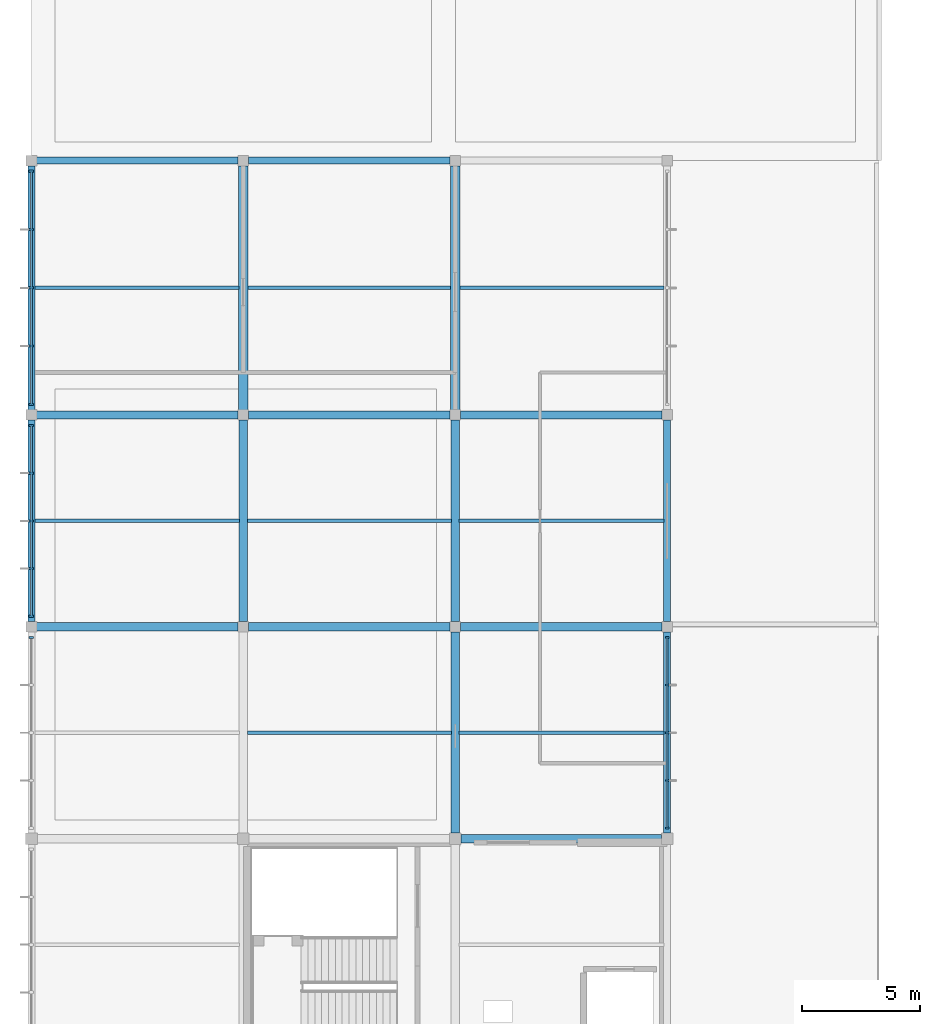
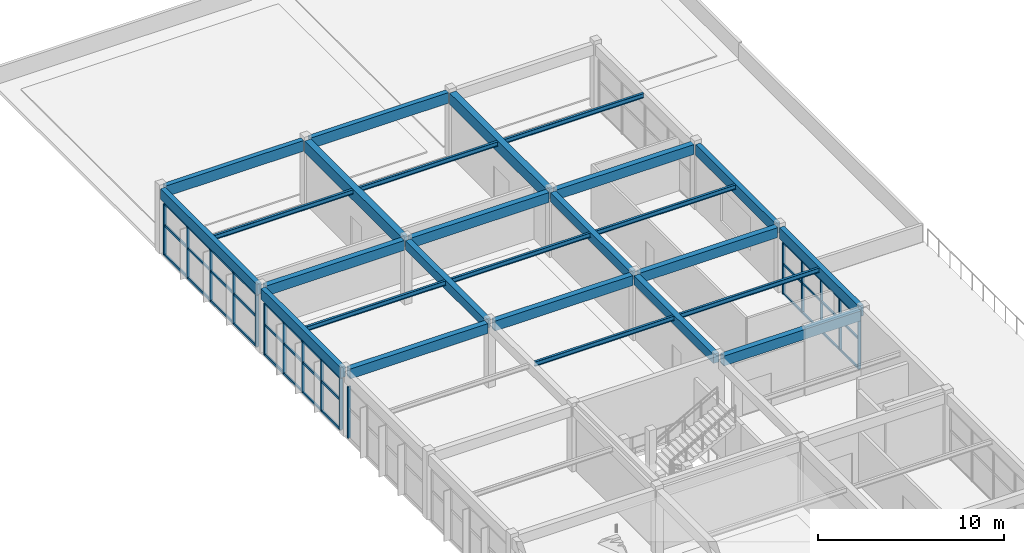
# One storey, part 6 of 22: 43 members, 26 beams, 4 elements without a shape of their own.
"""IFC4 building model written with IfcOpenShell, lengths in metres."""

import ifcopenshell
import ifcopenshell.guid

model = None  # the IFC model being written
_history = None  # IfcOwnerHistory: only IFC2X3 demands one
_inside = {}  # id of a spatial element -> (the spatial element, [elements in it])
_under = {}  # id of a project, library or spatial element -> (it, [spatial elements below it])
_declared = {}  # id of a project -> (the project, [libraries it declares])
_typed = {}  # id of a type object -> (the type object, [elements of that type])
_made_of = {}  # id of a material, layer set ... -> (it, [elements and type objects made of it])


def new_model(schema):
    """Start an empty IFC model of exactly this schema.

    Asked for "IFC4X3", IfcOpenShell would pick the latest addendum, in which some entities
    have other attributes; the version numbers below select the first issue.
    IFC2X3 requires an IfcOwnerHistory on every rooted entity: one is made here for all.
    """
    global model, _history
    if schema == "IFC4X3":
        model = ifcopenshell.file(schema_version=(4, 3, 0, 0))
    else:
        model = ifcopenshell.file(schema=schema)
    _inside.clear()
    _under.clear()
    _declared.clear()
    _typed.clear()
    _made_of.clear()
    _history = None
    if model.schema == "IFC2X3":
        org = make("IfcOrganization", Name="unknown")
        user = make(
            "IfcPersonAndOrganization",
            ThePerson=make("IfcPerson", FamilyName="unknown"),
            TheOrganization=org,
        )
        app = make(
            "IfcApplication",
            ApplicationDeveloper=org,
            Version="unknown",
            ApplicationFullName="unknown",
            ApplicationIdentifier="unknown",
        )
        _history = make(
            "IfcOwnerHistory",
            OwningUser=user,
            OwningApplication=app,
            ChangeAction="ADDED",
            CreationDate=0,
        )
    return model


def make(cls, **values):
    """One entity of the class cls with the attributes given. An attribute that is None is left unset."""
    return model.create_entity(
        cls, **{name: value for name, value in values.items() if value is not None}
    )


def rooted(cls, **values):
    """An entity with a GlobalId (a new one), such as an element, a storey or a relation."""
    return make(cls, GlobalId=ifcopenshell.guid.new(), OwnerHistory=_history, **values)


def si_unit(unit_type, name, prefix=None):
    """IfcSIUnit, for example si_unit("LENGTHUNIT", "METRE", prefix="MILLI")."""
    return make("IfcSIUnit", UnitType=unit_type, Prefix=prefix, Name=name)


def assignment(units):
    """IfcUnitAssignment: the units of a project."""
    return None if units is None else make("IfcUnitAssignment", Units=units)


def point(xyz):
    """IfcCartesianPoint."""
    return None if xyz is None else make("IfcCartesianPoint", Coordinates=xyz)


def direction(xyz):
    """IfcDirection."""
    return None if xyz is None else make("IfcDirection", DirectionRatios=xyz)


def frame(location, z_axis=None, x_axis=None):
    """IfcAxis2Placement3D, a coordinate frame: its origin and axes. An axis left out is left unset."""
    return make(
        "IfcAxis2Placement3D",
        Location=point(location),
        Axis=direction(z_axis),
        RefDirection=direction(x_axis),
    )


def frame_2d(location, x_axis=None):
    """IfcAxis2Placement2D, a coordinate frame in the plane: its origin and x axis."""
    return make(
        "IfcAxis2Placement2D", Location=point(location), RefDirection=direction(x_axis)
    )


def origin():
    """The frame at (0, 0, 0) with its axes left unset."""
    return frame((0.0, 0.0, 0.0))


def origin_2d():
    """The frame at (0, 0) in the plane with its x axis left unset."""
    return frame_2d((0.0, 0.0))


def place(relative_to, where):
    """IfcLocalPlacement: puts the frame where relative to a parent placement (None: the world)."""
    return make(
        "IfcLocalPlacement", PlacementRelTo=relative_to, RelativePlacement=where
    )


def context(
    kind, dimensions, precision=None, world=None, true_north=None, identifier=None
):
    """IfcGeometricRepresentationContext, for example the 3D "Model" context."""
    return make(
        "IfcGeometricRepresentationContext",
        ContextIdentifier=identifier,
        ContextType=kind,
        CoordinateSpaceDimension=dimensions,
        Precision=precision,
        WorldCoordinateSystem=world,
        TrueNorth=true_north,
    )


def subcontext(parent, identifier, kind, view, scale=None):
    """IfcGeometricRepresentationSubContext, for example "Body" below "Model"."""
    return make(
        "IfcGeometricRepresentationSubContext",
        ContextIdentifier=identifier,
        ContextType=kind,
        ParentContext=parent,
        TargetScale=scale,
        TargetView=view,
    )


def project(units=None, contexts=None):
    """IfcProject with its units and contexts."""
    return rooted(
        "IfcProject",
        Name="project",
        RepresentationContexts=contexts,
        UnitsInContext=assignment(units),
    )


def spatial(cls, under=None, at=None, **own):
    """A site, building, storey or space (cls), placed at a placement, below another one or the project."""
    s = rooted(cls, ObjectPlacement=at, **own)
    if under is not None:
        _under.setdefault(under.id(), (under, []))[1].append(s)
    return s


def profile(cls, at=None, kind="AREA", **sizes):
    """A parametric profile (cls). Its sizes go by their IFC names, for example OverallWidth=200.0."""
    return make(cls, ProfileType=kind, Position=at, **sizes)


def rectangle(**sizes):
    """IfcRectangleProfileDef."""
    return profile("IfcRectangleProfileDef", **sizes)


def i_section(**sizes):
    """IfcIShapeProfileDef."""
    return profile("IfcIShapeProfileDef", **sizes)


def extrude(swept, where, along, depth):
    """IfcExtrudedAreaSolid: the profile swept, set in the frame where, extruded along a direction by depth."""
    return make(
        "IfcExtrudedAreaSolid",
        SweptArea=swept,
        Position=where,
        ExtrudedDirection=direction(along),
        Depth=depth,
    )


def shape(context_of_items, identifier, shape_type, items):
    """IfcShapeRepresentation: the items that make up one representation, for example the "Body"."""
    return make(
        "IfcShapeRepresentation",
        ContextOfItems=context_of_items,
        RepresentationIdentifier=identifier,
        RepresentationType=shape_type,
        Items=items,
    )


def material(Name=None, Category=None):
    """IfcMaterial."""
    return make("IfcMaterial", Name=Name, Category=Category)


def material_profile(
    of_material, cross_section, Name=None, Category=None, Priority=None
):
    """IfcMaterialProfile: a cross section and its material."""
    return make(
        "IfcMaterialProfile",
        Name=Name,
        Material=of_material,
        Profile=cross_section,
        Priority=Priority,
        Category=Category,
    )


def profile_set(profiles, Name=None, composite=None):
    """IfcMaterialProfileSet."""
    return make(
        "IfcMaterialProfileSet",
        Name=Name,
        MaterialProfiles=profiles,
        CompositeProfile=composite,
    )


def made_of(thing, what):
    """Note that an element or type object is made of a material, layer set ...; save() writes the relation."""
    if what is not None:
        _made_of.setdefault(what.id(), (what, []))[1].append(thing)
    return thing


def type_object(cls, material=None, **own):
    """A type object (cls), such as IfcWallType, which elements share."""
    return made_of(rooted(cls, **own), material)


def element(
    cls,
    number,
    at=None,
    inside=None,
    cuts=None,
    type_object=None,
    material=None,
    context=None,
    identifier="Body",
    shape_type=None,
    held_by="IfcProductDefinitionShape",
    body=None,
    shapes=None,
    **own,
):
    """One element of the class cls, such as IfcWall. Its Tag is "e" and its number.

    at: its placement. inside: the storey or other place that contains it. cuts: it is an
    opening in that element (IfcRelVoidsElement). A single representation is given by context,
    identifier, shape_type and body (its items); several are given by shapes. held_by: the class
    of the entity that holds the representations. save() writes the other relations.
    """
    e = rooted(cls, Tag="e%d" % number, ObjectPlacement=at, **own)
    if body is not None:
        shapes = [shape(context, identifier, shape_type, body)]
    if shapes is not None:
        e.Representation = make(held_by, Representations=shapes)
    if inside is not None:
        _inside.setdefault(inside.id(), (inside, []))[1].append(e)
    if cuts is not None:
        rooted(
            "IfcRelVoidsElement", RelatingBuildingElement=cuts, RelatedOpeningElement=e
        )
    if type_object is not None:
        _typed.setdefault(type_object.id(), (type_object, []))[1].append(e)
    return made_of(e, material)


def aggregate(whole, parts):
    """IfcRelAggregates: a whole, such as a stair, and the parts it consists of."""
    return rooted("IfcRelAggregates", RelatingObject=whole, RelatedObjects=parts)


def save(model, path):
    """Write the relations noted so far, then the file.

    IfcRelAggregates (storeys below a building ...), IfcRelContainedInSpatialStructure (elements
    in a storey), IfcRelDefinesByType, IfcRelAssociatesMaterial and IfcRelDeclares: one each for
    every whole, place, type object, material and project.
    """
    for whole, parts in _under.values():
        aggregate(whole, parts)
    for where, things in _inside.values():
        rooted(
            "IfcRelContainedInSpatialStructure",
            RelatedElements=things,
            RelatingStructure=where,
        )
    for kind, things in _typed.values():
        rooted("IfcRelDefinesByType", RelatedObjects=things, RelatingType=kind)
    for what, things in _made_of.values():
        rooted("IfcRelAssociatesMaterial", RelatedObjects=things, RelatingMaterial=what)
    for by, libraries in _declared.values():
        rooted("IfcRelDeclares", RelatingContext=by, RelatedDefinitions=libraries)
    model.write(path)


model = new_model("IFC4")

# Units and contexts
model_context = context("Model", 3, precision=1e-05, world=origin(), true_north=direction((0.0, 1.0)))
body_context = subcontext(model_context, "Body", "Model", "MODEL_VIEW")
ifc_project = project(units=[si_unit("LENGTHUNIT", "METRE"), si_unit("AREAUNIT", "SQUARE_METRE"), si_unit("VOLUMEUNIT", "CUBIC_METRE"), si_unit("PLANEANGLEUNIT", "RADIAN"), si_unit("MASSUNIT", "GRAM", prefix="KILO")], contexts=[model_context])

# Site, building, storey
site_placement = place(None, origin())
site = spatial("IfcSite", under=ifc_project, at=site_placement, CompositionType="ELEMENT")
building_placement = place(site_placement, origin())
building = spatial("IfcBuilding", under=site, at=building_placement, Name="Suirenkawa Promenade Aquatics Centre", CompositionType="ELEMENT")
storey_placement = place(building_placement, frame((0.0, 0.0, 14.10009765625)))
storey = spatial("IfcBuildingStorey", under=building, at=storey_placement, Name="L03", CompositionType="ELEMENT", Elevation=14.10009765625)

# Beams
ifc_material_1 = material(Name="Steel IS 2062 E350 (Grade 350)", Category="steel")
ifc_material_profile_1 = material_profile(ifc_material_1, i_section(OverallWidth=0.139892578125, OverallDepth=0.300048828125, WebThickness=0.008056640625, FlangeThickness=0.012939453125, at=origin_2d()), Name="ISMB 300", Category="steel")
ifc_profile_set_1 = profile_set([ifc_material_profile_1], Name="Steel IS 2062 E350 (Grade 350)")
beam_type_1 = type_object("IfcBeamType", Name="BT-JOIST-ISMB300", PredefinedType="JOIST", material=ifc_profile_set_1)
beam_1_placement = place(storey_placement, frame((0.14404296875, 81.89990234375, 4.097900390625), z_axis=(1.0, 0.0, 0.0), x_axis=(0.0, 1.0, 0.0)))
element("IfcBeam", 1, at=beam_1_placement, inside=storey, type_object=beam_type_1, Name="Secondary floor joist JS-02 BM-0815", PredefinedType="JOIST", context=body_context, shape_type="SweptSolid", body=[
    extrude(i_section(OverallWidth=0.139892578125, OverallDepth=0.300048828125, WebThickness=0.008056640625, FlangeThickness=0.012939453125, at=origin_2d()), origin(), (0.0, 0.0, 1.0), 8.68701171875),
])
beam_2_placement = place(storey_placement, frame((0.14404296875, 91.800048828125, 4.097900390625), z_axis=(1.0, 0.0, 0.0), x_axis=(0.0, 1.0, 0.0)))
element("IfcBeam", 2, at=beam_2_placement, inside=storey, type_object=beam_type_1, Name="Secondary floor joist JS-02 BM-0816", PredefinedType="JOIST", context=body_context, shape_type="SweptSolid", body=[
    extrude(i_section(OverallWidth=0.139892578125, OverallDepth=0.300048828125, WebThickness=0.008056640625, FlangeThickness=0.012939453125, at=origin_2d()), origin(), (0.0, 0.0, 1.0), 8.661865234375),
])
for number, where, z_axis, x_axis, name in (
    (3, (9.1689453125, 72.89990234375, 4.097900390625), (1.0, 0.0, 0.0), (0.0, 1.0, 0.0), "Secondary floor joist JS-02 BM-0822"),
    (4, (9.1689453125, 81.89990234375, 4.097900390625), (1.0, 0.0, 0.0), (0.0, 1.0, 0.0), "Secondary floor joist JS-02 BM-0823"),
):
    element("IfcBeam", number, at=place(storey_placement, frame(where, z_axis=z_axis, x_axis=x_axis)), inside=storey, type_object=beam_type_1, Name=name, PredefinedType="JOIST", context=body_context, shape_type="SweptSolid", body=[
        extrude(i_section(OverallWidth=0.139892578125, OverallDepth=0.300048828125, WebThickness=0.008056640625, FlangeThickness=0.012939453125, at=origin_2d()), origin(), (0.0, 0.0, 1.0), 8.662109375),
    ])
beam_3_placement = place(storey_placement, frame((9.194091796875, 91.800048828125, 4.097900390625), z_axis=(1.0, 0.0, 0.0), x_axis=(0.0, 1.0, 0.0)))
element("IfcBeam", 5, at=beam_3_placement, inside=storey, type_object=beam_type_1, Name="Secondary floor joist JS-02 BM-0824", PredefinedType="JOIST", context=body_context, shape_type="SweptSolid", body=[
    extrude(i_section(OverallWidth=0.139892578125, OverallDepth=0.300048828125, WebThickness=0.008056640625, FlangeThickness=0.012939453125, at=origin_2d()), origin(), (0.0, 0.0, 1.0), 8.61181640625),
])
for number, where, z_axis, x_axis, name in (
    (6, (18.1689453125, 72.89990234375, 4.097900390625), (1.0, 0.0, 0.0), (0.0, 1.0, 0.0), "Secondary floor joist JS-02 BM-0832"),
    (7, (18.1689453125, 81.89990234375, 4.097900390625), (1.0, 0.0, 0.0), (0.0, 1.0, 0.0), "Secondary floor joist JS-02 BM-0833"),
):
    element("IfcBeam", number, at=place(storey_placement, frame(where, z_axis=z_axis, x_axis=x_axis)), inside=storey, type_object=beam_type_1, Name=name, PredefinedType="JOIST", context=body_context, shape_type="SweptSolid", body=[
        extrude(i_section(OverallWidth=0.139892578125, OverallDepth=0.300048828125, WebThickness=0.008056640625, FlangeThickness=0.012939453125, at=origin_2d()), origin(), (0.0, 0.0, 1.0), 8.68701171875),
    ])
beam_4_placement = place(storey_placement, frame((18.194091796875, 91.800048828125, 4.097900390625), z_axis=(1.0, 0.0, 0.0), x_axis=(0.0, 1.0, 0.0)))
element("IfcBeam", 8, at=beam_4_placement, inside=storey, type_object=beam_type_1, Name="Secondary floor joist JS-02 BM-0834", PredefinedType="JOIST", context=body_context, shape_type="SweptSolid", body=[
    extrude(i_section(OverallWidth=0.139892578125, OverallDepth=0.300048828125, WebThickness=0.008056640625, FlangeThickness=0.012939453125, at=origin_2d()), origin(), (0.0, 0.0, 1.0), 8.661865234375),
])
ifc_material_2 = material(Name="Concrete M35", Category="concrete")
ifc_material_profile_2 = material_profile(ifc_material_2, rectangle(XDim=0.35009765625, YDim=0.60009765625, at=origin_2d()), Name="RC BM 350x600", Category="concrete")
ifc_profile_set_2 = profile_set([ifc_material_profile_2], Name="Concrete M35")
beam_type_2 = type_object("IfcBeamType", Name="BT-RC-350x600", PredefinedType="BEAM", material=ifc_profile_set_2)
beam_5_placement = place(storey_placement, frame((9.0, 77.618896484375, 3.949951171875), z_axis=(0.0, 1.0, 0.0), x_axis=(-1.0, 0.0, 0.0)))
element("IfcBeam", 9, at=beam_5_placement, inside=storey, type_object=beam_type_2, Name="Floor beam BM-02 BM-0786", PredefinedType="BEAM", context=body_context, shape_type="SweptSolid", body=[
    extrude(rectangle(XDim=0.35009765625, YDim=0.60009765625, at=origin_2d()), origin(), (0.0, 0.0, 1.0), 8.56201171875),
])
beam_6_placement = place(storey_placement, frame((18.0, 68.64404296875, 3.949951171875), z_axis=(0.0, 1.0, 0.0), x_axis=(-1.0, 0.0, 0.0)))
element("IfcBeam", 10, at=beam_6_placement, inside=storey, type_object=beam_type_2, Name="Floor beam BM-02 BM-0795", PredefinedType="BEAM", context=body_context, shape_type="SweptSolid", body=[
    extrude(rectangle(XDim=0.35009765625, YDim=0.60009765625, at=origin_2d()), origin(), (0.0, 0.0, 1.0), 8.536865234375),
])
beam_7_placement = place(storey_placement, frame((18.0, 77.618896484375, 3.949951171875), z_axis=(0.0, 1.0, 0.0), x_axis=(-1.0, 0.0, 0.0)))
element("IfcBeam", 11, at=beam_7_placement, inside=storey, type_object=beam_type_2, Name="Floor beam BM-02 BM-0796", PredefinedType="BEAM", context=body_context, shape_type="SweptSolid", body=[
    extrude(rectangle(XDim=0.35009765625, YDim=0.60009765625, at=origin_2d()), origin(), (0.0, 0.0, 1.0), 8.56201171875),
])
ifc_material_profile_3 = material_profile(ifc_material_2, rectangle(XDim=0.35009765625, YDim=0.64990234375, at=origin_2d()), Name="RC BM 350x650", Category="concrete")
ifc_profile_set_3 = profile_set([ifc_material_profile_3], Name="Concrete M35")
beam_type_3 = type_object("IfcBeamType", Name="BT-RC-350x650", PredefinedType="BEAM", material=ifc_profile_set_3)
beam_8_placement = place(storey_placement, frame((18.243896484375, 68.39990234375, 3.9248046875), z_axis=(1.0, 0.0, 0.0), x_axis=(0.0, 1.0, 0.0)))
element("IfcBeam", 12, at=beam_8_placement, inside=storey, type_object=beam_type_3, Name="Floor beam BM-03 BM-0758", PredefinedType="BEAM", context=body_context, shape_type="SweptSolid", body=[
    extrude(rectangle(XDim=0.35009765625, YDim=0.64990234375, at=origin_2d()), origin(), (0.0, 0.0, 1.0), 8.51220703125),
])
for number, where, z_axis, x_axis, name in (
    (13, (0.218994140625, 77.39990234375, 3.9248046875), (1.0, 0.0, 0.0), (0.0, 1.0, 0.0), "Floor beam BM-03 BM-0759"),
    (14, (9.218994140625, 77.39990234375, 3.9248046875), (1.0, 0.0, 0.0), (0.0, 1.0, 0.0), "Floor beam BM-03 BM-0760"),
    (15, (18.218994140625, 77.39990234375, 3.9248046875), (1.0, 0.0, 0.0), (0.0, 1.0, 0.0), "Floor beam BM-03 BM-0761"),
    (16, (0.218994140625, 86.39990234375, 3.9248046875), (1.0, 0.0, 0.0), (0.0, 1.0, 0.0), "Floor beam BM-03 BM-0762"),
    (17, (9.218994140625, 86.39990234375, 3.9248046875), (1.0, 0.0, 0.0), (0.0, 1.0, 0.0), "Floor beam BM-03 BM-0763"),
    (18, (18.218994140625, 86.39990234375, 3.9248046875), (1.0, 0.0, 0.0), (0.0, 1.0, 0.0), "Floor beam BM-03 BM-0764"),
):
    element("IfcBeam", number, at=place(storey_placement, frame(where, z_axis=z_axis, x_axis=x_axis)), inside=storey, type_object=beam_type_3, Name=name, PredefinedType="BEAM", context=body_context, shape_type="SweptSolid", body=[
        extrude(rectangle(XDim=0.35009765625, YDim=0.64990234375, at=origin_2d()), origin(), (0.0, 0.0, 1.0), 8.56201171875),
    ])
ifc_material_3 = material(Name="Concrete M40", Category="concrete")
ifc_material_profile_4 = material_profile(ifc_material_3, rectangle(XDim=0.39990234375, YDim=0.75, at=origin_2d()), Name="RC BM 400x750", Category="concrete")
ifc_profile_set_4 = profile_set([ifc_material_profile_4], Name="Concrete M40")
beam_type_4 = type_object("IfcBeamType", Name="BT-RC-400x750", PredefinedType="BEAM", material=ifc_profile_set_4)
for number, where, z_axis, x_axis, name in (
    (19, (9.0, 86.618896484375, 3.875), (0.0, 1.0, 0.0), (-1.0, 0.0, 0.0), "Floor beam BM-05 BM-0787"),
    (20, (18.0, 86.618896484375, 3.875), (0.0, 1.0, 0.0), (-1.0, 0.0, 0.0), "Floor beam BM-05 BM-0797"),
):
    element("IfcBeam", number, at=place(storey_placement, frame(where, z_axis=z_axis, x_axis=x_axis)), inside=storey, type_object=beam_type_4, Name=name, PredefinedType="BEAM", context=body_context, shape_type="SweptSolid", body=[
        extrude(rectangle(XDim=0.39990234375, YDim=0.75, at=origin_2d()), origin(), (0.0, 0.0, 1.0), 10.362060546875),
    ])
ifc_material_profile_5 = material_profile(ifc_material_3, rectangle(XDim=0.300048828125, YDim=0.699951171875, at=origin_2d()), Name="RC SPANDREL 300x700", Category="concrete")
ifc_profile_set_5 = profile_set([ifc_material_profile_5], Name="Concrete M40")
beam_type_5 = type_object("IfcBeamType", Name="BT-SPANDREL-300x700", PredefinedType="SPANDREL", material=ifc_profile_set_5)
for number, where, z_axis, x_axis, name in (
    (21, (0.218994140625, 97.199951171875, 3.89990234375), (1.0, 0.0, 0.0), (0.0, 1.0, 0.0), "Floor beam SP-01 BM-0765"),
    (22, (9.218994140625, 97.199951171875, 3.89990234375), (1.0, 0.0, 0.0), (0.0, 1.0, 0.0), "Floor beam SP-01 BM-0766"),
    (23, (0.0, 77.618896484375, 3.89990234375), (0.0, 1.0, 0.0), (-1.0, 0.0, 0.0), "Floor beam SP-01 BM-0776"),
):
    element("IfcBeam", number, at=place(storey_placement, frame(where, z_axis=z_axis, x_axis=x_axis)), inside=storey, type_object=beam_type_5, Name=name, PredefinedType="SPANDREL", context=body_context, shape_type="SweptSolid", body=[
        extrude(rectangle(XDim=0.300048828125, YDim=0.699951171875, at=origin_2d()), origin(), (0.0, 0.0, 1.0), 8.56201171875),
    ])
beam_9_placement = place(storey_placement, frame((0.0, 86.618896484375, 3.89990234375), z_axis=(0.0, 1.0, 0.0), x_axis=(-1.0, 0.0, 0.0)))
element("IfcBeam", 24, at=beam_9_placement, inside=storey, type_object=beam_type_5, Name="Floor beam SP-01 BM-0777", PredefinedType="SPANDREL", context=body_context, shape_type="SweptSolid", body=[
    extrude(rectangle(XDim=0.300048828125, YDim=0.699951171875, at=origin_2d()), origin(), (0.0, 0.0, 1.0), 10.362060546875),
])
beam_10_placement = place(storey_placement, frame((27.0, 68.64404296875, 3.89990234375), z_axis=(0.0, 1.0, 0.0), x_axis=(-1.0, 0.0, 0.0)))
element("IfcBeam", 25, at=beam_10_placement, inside=storey, type_object=beam_type_5, Name="Floor beam SP-01 BM-0805", PredefinedType="SPANDREL", context=body_context, shape_type="SweptSolid", body=[
    extrude(rectangle(XDim=0.300048828125, YDim=0.699951171875, at=origin_2d()), origin(), (0.0, 0.0, 1.0), 8.536865234375),
])
beam_11_placement = place(storey_placement, frame((27.0, 77.618896484375, 3.89990234375), z_axis=(0.0, 1.0, 0.0), x_axis=(-1.0, 0.0, 0.0)))
element("IfcBeam", 26, at=beam_11_placement, inside=storey, type_object=beam_type_5, Name="Floor beam SP-01 BM-0806", PredefinedType="SPANDREL", context=body_context, shape_type="SweptSolid", body=[
    extrude(rectangle(XDim=0.300048828125, YDim=0.699951171875, at=origin_2d()), origin(), (0.0, 0.0, 1.0), 8.56201171875),
])

# Curtain wall, members
ifc_material_4 = material(Name="Anodised aluminium 6063-T6", Category="aluminium")
curtain_wall_type_1 = type_object("IfcCurtainWallType", Name="CWAT-V5EL03-78", PredefinedType="NOTDEFINED", material=ifc_material_4)
curtain_wall_1_placement = place(storey_placement, origin())
curtain_wall_1 = element("IfcCurtainWall", 27, at=curtain_wall_1_placement, inside=storey, type_object=curtain_wall_type_1, Name="Curtain wall CWA-78 CW-141", PredefinedType="NOTDEFINED")
ifc_material_profile_6 = material_profile(ifc_material_4, rectangle(XDim=0.090087890625, YDim=0.159912109375, at=origin_2d()), Name="ALU MULL 90x160", Category="aluminium")
ifc_profile_set_6 = profile_set([ifc_material_profile_6], Name="Anodised aluminium 6063-T6")
member_type_1 = type_object("IfcMemberType", Name="CWM-160x90", PredefinedType="MULLION", material=ifc_profile_set_6)
member_1_placement = place(storey_placement, frame((27.0, 76.950927734375, 0.0), z_axis=(0.0, 0.0, 1.0), x_axis=(0.0, -1.0, 0.0)))
member_1 = element("IfcMember", 28, at=member_1_placement, type_object=member_type_1, Name="Mullion ML-03 CWM-02861", PredefinedType="MULLION", context=body_context, shape_type="SweptSolid", body=[
    extrude(rectangle(XDim=0.090087890625, YDim=0.159912109375, at=origin_2d()), origin(), (0.0, 0.0, 1.0), 3.369873046875),
])
member_2_placement = place(storey_placement, frame((27.0, 74.925537109375, 0.0), z_axis=(0.0, 0.0, 1.0), x_axis=(0.0, -1.0, 0.0)))
member_2 = element("IfcMember", 29, at=member_2_placement, type_object=member_type_1, Name="Mullion ML-03 CWM-02862", PredefinedType="MULLION", context=body_context, shape_type="SweptSolid", body=[
    extrude(rectangle(XDim=0.090087890625, YDim=0.159912109375, at=origin_2d()), origin(), (0.0, 0.0, 1.0), 3.369873046875),
])
member_3_placement = place(storey_placement, frame((27.0, 72.89990234375, 0.0), z_axis=(0.0, 0.0, 1.0), x_axis=(0.0, -1.0, 0.0)))
member_3 = element("IfcMember", 30, at=member_3_placement, type_object=member_type_1, Name="Mullion ML-03 CWM-02863", PredefinedType="MULLION", context=body_context, shape_type="SweptSolid", body=[
    extrude(rectangle(XDim=0.090087890625, YDim=0.159912109375, at=origin_2d()), origin(), (0.0, 0.0, 1.0), 3.369873046875),
])
member_4_placement = place(storey_placement, frame((27.0, 70.87451171875, 0.0), z_axis=(0.0, 0.0, 1.0), x_axis=(0.0, -1.0, 0.0)))
member_4 = element("IfcMember", 31, at=member_4_placement, type_object=member_type_1, Name="Mullion ML-03 CWM-02864", PredefinedType="MULLION", context=body_context, shape_type="SweptSolid", body=[
    extrude(rectangle(XDim=0.090087890625, YDim=0.159912109375, at=origin_2d()), origin(), (0.0, 0.0, 1.0), 3.369873046875),
])
member_5_placement = place(storey_placement, frame((27.0, 68.84912109375, 0.0), z_axis=(0.0, 0.0, 1.0), x_axis=(0.0, -1.0, 0.0)))
member_5 = element("IfcMember", 32, at=member_5_placement, type_object=member_type_1, Name="Mullion ML-03 CWM-02865", PredefinedType="MULLION", context=body_context, shape_type="SweptSolid", body=[
    extrude(rectangle(XDim=0.090087890625, YDim=0.159912109375, at=origin_2d()), origin(), (0.0, 0.0, 1.0), 3.369873046875),
])

# Curtain wall, member
curtain_wall_type_2 = type_object("IfcCurtainWallType", Name="CWAT-V5WL03-71", PredefinedType="NOTDEFINED", material=ifc_material_4)
curtain_wall_2_placement = place(storey_placement, origin())
curtain_wall_2 = element("IfcCurtainWall", 33, at=curtain_wall_2_placement, inside=storey, type_object=curtain_wall_type_2, Name="Curtain wall CWA-71 CW-140", PredefinedType="NOTDEFINED")
ifc_material_profile_7 = material_profile(ifc_material_4, rectangle(XDim=0.094970703125, YDim=0.18994140625, at=origin_2d()), Name="ALU MULL 95x190", Category="aluminium")
ifc_profile_set_7 = profile_set([ifc_material_profile_7], Name="Anodised aluminium 6063-T6")
member_type_2 = type_object("IfcMemberType", Name="CWM-190x95", PredefinedType="MULLION", material=ifc_profile_set_7)
member_6_placement = place(storey_placement, frame((0.0, 76.950927734375, 0.0), z_axis=(0.0, 0.0, 1.0), x_axis=(0.0, 1.0, 0.0)))
member_6 = element("IfcMember", 34, at=member_6_placement, type_object=member_type_2, Name="Mullion ML-02 CWM-02843", PredefinedType="MULLION", context=body_context, shape_type="SweptSolid", body=[
    extrude(rectangle(XDim=0.094970703125, YDim=0.18994140625, at=origin_2d()), origin(), (0.0, 0.0, 1.0), 3.369873046875),
])
aggregate(curtain_wall_2, [member_6])

# Curtain wall, members
curtain_wall_3_placement = place(storey_placement, origin())
curtain_wall_3 = element("IfcCurtainWall", 35, at=curtain_wall_3_placement, inside=storey, type_object=curtain_wall_type_2, Name="Curtain wall CWA-71 CW-142", PredefinedType="NOTDEFINED")
member_7_placement = place(storey_placement, frame((0.0, 77.84912109375, 0.0), z_axis=(0.0, 0.0, 1.0), x_axis=(0.0, 1.0, 0.0)))
member_7 = element("IfcMember", 36, at=member_7_placement, type_object=member_type_2, Name="Mullion ML-02 CWM-02883", PredefinedType="MULLION", context=body_context, shape_type="SweptSolid", body=[
    extrude(rectangle(XDim=0.094970703125, YDim=0.18994140625, at=origin_2d()), origin(), (0.0, 0.0, 1.0), 3.369873046875),
])
member_8_placement = place(storey_placement, frame((0.0, 79.87451171875, 0.0), z_axis=(0.0, 0.0, 1.0), x_axis=(0.0, 1.0, 0.0)))
member_8 = element("IfcMember", 37, at=member_8_placement, type_object=member_type_2, Name="Mullion ML-02 CWM-02884", PredefinedType="MULLION", context=body_context, shape_type="SweptSolid", body=[
    extrude(rectangle(XDim=0.094970703125, YDim=0.18994140625, at=origin_2d()), origin(), (0.0, 0.0, 1.0), 3.369873046875),
])
member_9_placement = place(storey_placement, frame((0.0, 81.89990234375, 0.0), z_axis=(0.0, 0.0, 1.0), x_axis=(0.0, 1.0, 0.0)))
member_9 = element("IfcMember", 38, at=member_9_placement, type_object=member_type_2, Name="Mullion ML-02 CWM-02885", PredefinedType="MULLION", context=body_context, shape_type="SweptSolid", body=[
    extrude(rectangle(XDim=0.094970703125, YDim=0.18994140625, at=origin_2d()), origin(), (0.0, 0.0, 1.0), 3.369873046875),
])
member_10_placement = place(storey_placement, frame((0.0, 83.925537109375, 0.0), z_axis=(0.0, 0.0, 1.0), x_axis=(0.0, 1.0, 0.0)))
member_10 = element("IfcMember", 39, at=member_10_placement, type_object=member_type_2, Name="Mullion ML-02 CWM-02886", PredefinedType="MULLION", context=body_context, shape_type="SweptSolid", body=[
    extrude(rectangle(XDim=0.094970703125, YDim=0.18994140625, at=origin_2d()), origin(), (0.0, 0.0, 1.0), 3.369873046875),
])
member_11_placement = place(storey_placement, frame((0.0, 85.950927734375, 0.0), z_axis=(0.0, 0.0, 1.0), x_axis=(0.0, 1.0, 0.0)))
member_11 = element("IfcMember", 40, at=member_11_placement, type_object=member_type_2, Name="Mullion ML-02 CWM-02887", PredefinedType="MULLION", context=body_context, shape_type="SweptSolid", body=[
    extrude(rectangle(XDim=0.094970703125, YDim=0.18994140625, at=origin_2d()), origin(), (0.0, 0.0, 1.0), 3.369873046875),
])

curtain_wall_type_3 = type_object("IfcCurtainWallType", Name="CWAT-V5WL03-73", PredefinedType="NOTDEFINED", material=ifc_material_4)
curtain_wall_4_placement = place(storey_placement, origin())
curtain_wall_4 = element("IfcCurtainWall", 41, at=curtain_wall_4_placement, inside=storey, type_object=curtain_wall_type_3, Name="Curtain wall CWA-73 CW-143", PredefinedType="NOTDEFINED")
member_12_placement = place(storey_placement, frame((0.0, 86.84912109375, 0.0), z_axis=(0.0, 0.0, 1.0), x_axis=(0.0, 1.0, 0.0)))
member_12 = element("IfcMember", 42, at=member_12_placement, type_object=member_type_2, Name="Mullion ML-02 CWM-02905", PredefinedType="MULLION", context=body_context, shape_type="SweptSolid", body=[
    extrude(rectangle(XDim=0.094970703125, YDim=0.18994140625, at=origin_2d()), origin(), (0.0, 0.0, 1.0), 3.369873046875),
])
member_13_placement = place(storey_placement, frame((0.0, 89.324462890625, 0.0), z_axis=(0.0, 0.0, 1.0), x_axis=(0.0, 1.0, 0.0)))
member_13 = element("IfcMember", 43, at=member_13_placement, type_object=member_type_2, Name="Mullion ML-02 CWM-02906", PredefinedType="MULLION", context=body_context, shape_type="SweptSolid", body=[
    extrude(rectangle(XDim=0.094970703125, YDim=0.18994140625, at=origin_2d()), origin(), (0.0, 0.0, 1.0), 3.369873046875),
])
member_14_placement = place(storey_placement, frame((0.0, 91.800048828125, 0.0), z_axis=(0.0, 0.0, 1.0), x_axis=(0.0, 1.0, 0.0)))
member_14 = element("IfcMember", 44, at=member_14_placement, type_object=member_type_2, Name="Mullion ML-02 CWM-02907", PredefinedType="MULLION", context=body_context, shape_type="SweptSolid", body=[
    extrude(rectangle(XDim=0.094970703125, YDim=0.18994140625, at=origin_2d()), origin(), (0.0, 0.0, 1.0), 3.369873046875),
])
member_15_placement = place(storey_placement, frame((0.0, 94.275390625, 0.0), z_axis=(0.0, 0.0, 1.0), x_axis=(0.0, 1.0, 0.0)))
member_15 = element("IfcMember", 45, at=member_15_placement, type_object=member_type_2, Name="Mullion ML-02 CWM-02908", PredefinedType="MULLION", context=body_context, shape_type="SweptSolid", body=[
    extrude(rectangle(XDim=0.094970703125, YDim=0.18994140625, at=origin_2d()), origin(), (0.0, 0.0, 1.0), 3.369873046875),
])
member_16_placement = place(storey_placement, frame((0.0, 96.7509765625, 0.0), z_axis=(0.0, 0.0, 1.0), x_axis=(0.0, 1.0, 0.0)))
member_16 = element("IfcMember", 46, at=member_16_placement, type_object=member_type_2, Name="Mullion ML-02 CWM-02909", PredefinedType="MULLION", context=body_context, shape_type="SweptSolid", body=[
    extrude(rectangle(XDim=0.094970703125, YDim=0.18994140625, at=origin_2d()), origin(), (0.0, 0.0, 1.0), 3.369873046875),
])

# Member
ifc_material_profile_8 = material_profile(ifc_material_4, rectangle(XDim=0.090087890625, YDim=0.1298828125, at=origin_2d()), Name="ALU TRAN 90x130", Category="aluminium")
ifc_profile_set_8 = profile_set([ifc_material_profile_8], Name="Anodised aluminium 6063-T6")
member_type_3 = type_object("IfcMemberType", Name="CWT-130x90", PredefinedType="USERDEFINED", material=ifc_profile_set_8)
member_17_placement = place(storey_placement, frame((27.0, 76.950927734375, 0.0), z_axis=(0.0, -1.0, 0.0), x_axis=(1.0, 0.0, 0.0)))
member_17 = element("IfcMember", 47, at=member_17_placement, type_object=member_type_3, Name="Transom TR-03 CWT-02866", ObjectType="TRANSOM", PredefinedType="USERDEFINED", context=body_context, shape_type="SweptSolid", body=[
    extrude(rectangle(XDim=0.090087890625, YDim=0.1298828125, at=origin_2d()), origin(), (0.0, 0.0, 1.0), 2.025390625),
])

member_18_placement = place(storey_placement, frame((27.0, 74.925537109375, 0.0), z_axis=(0.0, -1.0, 0.0), x_axis=(1.0, 0.0, 0.0)))
member_18 = element("IfcMember", 48, at=member_18_placement, type_object=member_type_3, Name="Transom TR-03 CWT-02867", ObjectType="TRANSOM", PredefinedType="USERDEFINED", context=body_context, shape_type="SweptSolid", body=[
    extrude(rectangle(XDim=0.090087890625, YDim=0.1298828125, at=origin_2d()), origin(), (0.0, 0.0, 1.0), 2.025634765625),
])

member_19_placement = place(storey_placement, frame((27.0, 72.89990234375, 0.0), z_axis=(0.0, -1.0, 0.0), x_axis=(1.0, 0.0, 0.0)))
member_19 = element("IfcMember", 49, at=member_19_placement, type_object=member_type_3, Name="Transom TR-03 CWT-02868", ObjectType="TRANSOM", PredefinedType="USERDEFINED", context=body_context, shape_type="SweptSolid", body=[
    extrude(rectangle(XDim=0.090087890625, YDim=0.1298828125, at=origin_2d()), origin(), (0.0, 0.0, 1.0), 2.025390625),
])

member_20_placement = place(storey_placement, frame((27.0, 70.87451171875, 0.0), z_axis=(0.0, -1.0, 0.0), x_axis=(1.0, 0.0, 0.0)))
member_20 = element("IfcMember", 50, at=member_20_placement, type_object=member_type_3, Name="Transom TR-03 CWT-02869", ObjectType="TRANSOM", PredefinedType="USERDEFINED", context=body_context, shape_type="SweptSolid", body=[
    extrude(rectangle(XDim=0.090087890625, YDim=0.1298828125, at=origin_2d()), origin(), (0.0, 0.0, 1.0), 2.025390625),
])

member_21_placement = place(storey_placement, frame((27.0, 76.950927734375, 1.949951171875), z_axis=(0.0, -1.0, 0.0), x_axis=(1.0, 0.0, 0.0)))
member_21 = element("IfcMember", 51, at=member_21_placement, type_object=member_type_3, Name="Transom TR-03 CWT-02870", ObjectType="TRANSOM", PredefinedType="USERDEFINED", context=body_context, shape_type="SweptSolid", body=[
    extrude(rectangle(XDim=0.090087890625, YDim=0.1298828125, at=origin_2d()), origin(), (0.0, 0.0, 1.0), 2.025390625),
])

member_22_placement = place(storey_placement, frame((27.0, 74.925537109375, 1.949951171875), z_axis=(0.0, -1.0, 0.0), x_axis=(1.0, 0.0, 0.0)))
member_22 = element("IfcMember", 52, at=member_22_placement, type_object=member_type_3, Name="Transom TR-03 CWT-02871", ObjectType="TRANSOM", PredefinedType="USERDEFINED", context=body_context, shape_type="SweptSolid", body=[
    extrude(rectangle(XDim=0.090087890625, YDim=0.1298828125, at=origin_2d()), origin(), (0.0, 0.0, 1.0), 2.025634765625),
])

member_23_placement = place(storey_placement, frame((27.0, 72.89990234375, 1.949951171875), z_axis=(0.0, -1.0, 0.0), x_axis=(1.0, 0.0, 0.0)))
member_23 = element("IfcMember", 53, at=member_23_placement, type_object=member_type_3, Name="Transom TR-03 CWT-02872", ObjectType="TRANSOM", PredefinedType="USERDEFINED", context=body_context, shape_type="SweptSolid", body=[
    extrude(rectangle(XDim=0.090087890625, YDim=0.1298828125, at=origin_2d()), origin(), (0.0, 0.0, 1.0), 2.025390625),
])

member_24_placement = place(storey_placement, frame((27.0, 70.87451171875, 1.949951171875), z_axis=(0.0, -1.0, 0.0), x_axis=(1.0, 0.0, 0.0)))
member_24 = element("IfcMember", 54, at=member_24_placement, type_object=member_type_3, Name="Transom TR-03 CWT-02873", ObjectType="TRANSOM", PredefinedType="USERDEFINED", context=body_context, shape_type="SweptSolid", body=[
    extrude(rectangle(XDim=0.090087890625, YDim=0.1298828125, at=origin_2d()), origin(), (0.0, 0.0, 1.0), 2.025390625),
])

member_25_placement = place(storey_placement, frame((27.0, 76.950927734375, 3.369873046875), z_axis=(0.0, -1.0, 0.0), x_axis=(1.0, 0.0, 0.0)))
member_25 = element("IfcMember", 55, at=member_25_placement, type_object=member_type_3, Name="Roofline transom TR-03 CWT-02874", ObjectType="TRANSOM", PredefinedType="USERDEFINED", context=body_context, shape_type="SweptSolid", body=[
    extrude(rectangle(XDim=0.090087890625, YDim=0.1298828125, at=origin_2d()), origin(), (0.0, 0.0, 1.0), 8.101806640625),
])

aggregate(curtain_wall_1, [member_1, member_2, member_3, member_4, member_5, member_17, member_18, member_19, member_20, member_21, member_22, member_23, member_24, member_25])

ifc_material_profile_9 = material_profile(ifc_material_4, rectangle(XDim=0.094970703125, YDim=0.14990234375, at=origin_2d()), Name="ALU TRAN 95x150", Category="aluminium")
ifc_profile_set_9 = profile_set([ifc_material_profile_9], Name="Anodised aluminium 6063-T6")
member_type_4 = type_object("IfcMemberType", Name="CWT-150x95", PredefinedType="USERDEFINED", material=ifc_profile_set_9)
member_26_placement = place(storey_placement, frame((0.0, 77.84912109375, 0.0), z_axis=(0.0, 1.0, 0.0), x_axis=(-1.0, 0.0, 0.0)))
member_26 = element("IfcMember", 56, at=member_26_placement, type_object=member_type_4, Name="Transom TR-02 CWT-02888", ObjectType="TRANSOM", PredefinedType="USERDEFINED", context=body_context, shape_type="SweptSolid", body=[
    extrude(rectangle(XDim=0.094970703125, YDim=0.14990234375, at=origin_2d()), origin(), (0.0, 0.0, 1.0), 2.025390625),
])

member_27_placement = place(storey_placement, frame((0.0, 79.87451171875, 0.0), z_axis=(0.0, 1.0, 0.0), x_axis=(-1.0, 0.0, 0.0)))
member_27 = element("IfcMember", 57, at=member_27_placement, type_object=member_type_4, Name="Transom TR-02 CWT-02889", ObjectType="TRANSOM", PredefinedType="USERDEFINED", context=body_context, shape_type="SweptSolid", body=[
    extrude(rectangle(XDim=0.094970703125, YDim=0.14990234375, at=origin_2d()), origin(), (0.0, 0.0, 1.0), 2.025390625),
])

member_28_placement = place(storey_placement, frame((0.0, 81.89990234375, 0.0), z_axis=(0.0, 1.0, 0.0), x_axis=(-1.0, 0.0, 0.0)))
member_28 = element("IfcMember", 58, at=member_28_placement, type_object=member_type_4, Name="Transom TR-02 CWT-02890", ObjectType="TRANSOM", PredefinedType="USERDEFINED", context=body_context, shape_type="SweptSolid", body=[
    extrude(rectangle(XDim=0.094970703125, YDim=0.14990234375, at=origin_2d()), origin(), (0.0, 0.0, 1.0), 2.025634765625),
])

member_29_placement = place(storey_placement, frame((0.0, 83.925537109375, 0.0), z_axis=(0.0, 1.0, 0.0), x_axis=(-1.0, 0.0, 0.0)))
member_29 = element("IfcMember", 59, at=member_29_placement, type_object=member_type_4, Name="Transom TR-02 CWT-02891", ObjectType="TRANSOM", PredefinedType="USERDEFINED", context=body_context, shape_type="SweptSolid", body=[
    extrude(rectangle(XDim=0.094970703125, YDim=0.14990234375, at=origin_2d()), origin(), (0.0, 0.0, 1.0), 2.025390625),
])

member_30_placement = place(storey_placement, frame((0.0, 77.84912109375, 1.949951171875), z_axis=(0.0, 1.0, 0.0), x_axis=(-1.0, 0.0, 0.0)))
member_30 = element("IfcMember", 60, at=member_30_placement, type_object=member_type_4, Name="Transom TR-02 CWT-02892", ObjectType="TRANSOM", PredefinedType="USERDEFINED", context=body_context, shape_type="SweptSolid", body=[
    extrude(rectangle(XDim=0.094970703125, YDim=0.14990234375, at=origin_2d()), origin(), (0.0, 0.0, 1.0), 2.025390625),
])

member_31_placement = place(storey_placement, frame((0.0, 79.87451171875, 1.949951171875), z_axis=(0.0, 1.0, 0.0), x_axis=(-1.0, 0.0, 0.0)))
member_31 = element("IfcMember", 61, at=member_31_placement, type_object=member_type_4, Name="Transom TR-02 CWT-02893", ObjectType="TRANSOM", PredefinedType="USERDEFINED", context=body_context, shape_type="SweptSolid", body=[
    extrude(rectangle(XDim=0.094970703125, YDim=0.14990234375, at=origin_2d()), origin(), (0.0, 0.0, 1.0), 2.025390625),
])

member_32_placement = place(storey_placement, frame((0.0, 81.89990234375, 1.949951171875), z_axis=(0.0, 1.0, 0.0), x_axis=(-1.0, 0.0, 0.0)))
member_32 = element("IfcMember", 62, at=member_32_placement, type_object=member_type_4, Name="Transom TR-02 CWT-02894", ObjectType="TRANSOM", PredefinedType="USERDEFINED", context=body_context, shape_type="SweptSolid", body=[
    extrude(rectangle(XDim=0.094970703125, YDim=0.14990234375, at=origin_2d()), origin(), (0.0, 0.0, 1.0), 2.025634765625),
])

member_33_placement = place(storey_placement, frame((0.0, 83.925537109375, 1.949951171875), z_axis=(0.0, 1.0, 0.0), x_axis=(-1.0, 0.0, 0.0)))
member_33 = element("IfcMember", 63, at=member_33_placement, type_object=member_type_4, Name="Transom TR-02 CWT-02895", ObjectType="TRANSOM", PredefinedType="USERDEFINED", context=body_context, shape_type="SweptSolid", body=[
    extrude(rectangle(XDim=0.094970703125, YDim=0.14990234375, at=origin_2d()), origin(), (0.0, 0.0, 1.0), 2.025390625),
])

member_34_placement = place(storey_placement, frame((0.0, 77.84912109375, 3.369873046875), z_axis=(0.0, 1.0, 0.0), x_axis=(-1.0, 0.0, 0.0)))
member_34 = element("IfcMember", 64, at=member_34_placement, type_object=member_type_4, Name="Roofline transom TR-02 CWT-02896", ObjectType="TRANSOM", PredefinedType="USERDEFINED", context=body_context, shape_type="SweptSolid", body=[
    extrude(rectangle(XDim=0.094970703125, YDim=0.14990234375, at=origin_2d()), origin(), (0.0, 0.0, 1.0), 8.101806640625),
])

aggregate(curtain_wall_3, [member_7, member_8, member_9, member_10, member_11, member_26, member_27, member_28, member_29, member_30, member_31, member_32, member_33, member_34])

member_35_placement = place(storey_placement, frame((0.0, 86.84912109375, 0.0), z_axis=(0.0, 1.0, 0.0), x_axis=(-1.0, 0.0, 0.0)))
member_35 = element("IfcMember", 65, at=member_35_placement, type_object=member_type_4, Name="Transom TR-02 CWT-02910", ObjectType="TRANSOM", PredefinedType="USERDEFINED", context=body_context, shape_type="SweptSolid", body=[
    extrude(rectangle(XDim=0.094970703125, YDim=0.14990234375, at=origin_2d()), origin(), (0.0, 0.0, 1.0), 2.475341796875),
])

member_36_placement = place(storey_placement, frame((0.0, 89.324462890625, 0.0), z_axis=(0.0, 1.0, 0.0), x_axis=(-1.0, 0.0, 0.0)))
member_36 = element("IfcMember", 66, at=member_36_placement, type_object=member_type_4, Name="Transom TR-02 CWT-02911", ObjectType="TRANSOM", PredefinedType="USERDEFINED", context=body_context, shape_type="SweptSolid", body=[
    extrude(rectangle(XDim=0.094970703125, YDim=0.14990234375, at=origin_2d()), origin(), (0.0, 0.0, 1.0), 2.4755859375),
])

member_37_placement = place(storey_placement, frame((0.0, 91.800048828125, 0.0), z_axis=(0.0, 1.0, 0.0), x_axis=(-1.0, 0.0, 0.0)))
member_37 = element("IfcMember", 67, at=member_37_placement, type_object=member_type_4, Name="Transom TR-02 CWT-02912", ObjectType="TRANSOM", PredefinedType="USERDEFINED", context=body_context, shape_type="SweptSolid", body=[
    extrude(rectangle(XDim=0.094970703125, YDim=0.14990234375, at=origin_2d()), origin(), (0.0, 0.0, 1.0), 2.475341796875),
])

member_38_placement = place(storey_placement, frame((0.0, 94.275390625, 0.0), z_axis=(0.0, 1.0, 0.0), x_axis=(-1.0, 0.0, 0.0)))
member_38 = element("IfcMember", 68, at=member_38_placement, type_object=member_type_4, Name="Transom TR-02 CWT-02913", ObjectType="TRANSOM", PredefinedType="USERDEFINED", context=body_context, shape_type="SweptSolid", body=[
    extrude(rectangle(XDim=0.094970703125, YDim=0.14990234375, at=origin_2d()), origin(), (0.0, 0.0, 1.0), 2.4755859375),
])

member_39_placement = place(storey_placement, frame((0.0, 86.84912109375, 1.949951171875), z_axis=(0.0, 1.0, 0.0), x_axis=(-1.0, 0.0, 0.0)))
member_39 = element("IfcMember", 69, at=member_39_placement, type_object=member_type_4, Name="Transom TR-02 CWT-02914", ObjectType="TRANSOM", PredefinedType="USERDEFINED", context=body_context, shape_type="SweptSolid", body=[
    extrude(rectangle(XDim=0.094970703125, YDim=0.14990234375, at=origin_2d()), origin(), (0.0, 0.0, 1.0), 2.475341796875),
])

member_40_placement = place(storey_placement, frame((0.0, 89.324462890625, 1.949951171875), z_axis=(0.0, 1.0, 0.0), x_axis=(-1.0, 0.0, 0.0)))
member_40 = element("IfcMember", 70, at=member_40_placement, type_object=member_type_4, Name="Transom TR-02 CWT-02915", ObjectType="TRANSOM", PredefinedType="USERDEFINED", context=body_context, shape_type="SweptSolid", body=[
    extrude(rectangle(XDim=0.094970703125, YDim=0.14990234375, at=origin_2d()), origin(), (0.0, 0.0, 1.0), 2.4755859375),
])

member_41_placement = place(storey_placement, frame((0.0, 91.800048828125, 1.949951171875), z_axis=(0.0, 1.0, 0.0), x_axis=(-1.0, 0.0, 0.0)))
member_41 = element("IfcMember", 71, at=member_41_placement, type_object=member_type_4, Name="Transom TR-02 CWT-02916", ObjectType="TRANSOM", PredefinedType="USERDEFINED", context=body_context, shape_type="SweptSolid", body=[
    extrude(rectangle(XDim=0.094970703125, YDim=0.14990234375, at=origin_2d()), origin(), (0.0, 0.0, 1.0), 2.475341796875),
])

member_42_placement = place(storey_placement, frame((0.0, 94.275390625, 1.949951171875), z_axis=(0.0, 1.0, 0.0), x_axis=(-1.0, 0.0, 0.0)))
member_42 = element("IfcMember", 72, at=member_42_placement, type_object=member_type_4, Name="Transom TR-02 CWT-02917", ObjectType="TRANSOM", PredefinedType="USERDEFINED", context=body_context, shape_type="SweptSolid", body=[
    extrude(rectangle(XDim=0.094970703125, YDim=0.14990234375, at=origin_2d()), origin(), (0.0, 0.0, 1.0), 2.4755859375),
])

member_43_placement = place(storey_placement, frame((0.0, 86.84912109375, 3.369873046875), z_axis=(0.0, 1.0, 0.0), x_axis=(-1.0, 0.0, 0.0)))
member_43 = element("IfcMember", 73, at=member_43_placement, type_object=member_type_4, Name="Roofline transom TR-02 CWT-02918", ObjectType="TRANSOM", PredefinedType="USERDEFINED", context=body_context, shape_type="SweptSolid", body=[
    extrude(rectangle(XDim=0.094970703125, YDim=0.14990234375, at=origin_2d()), origin(), (0.0, 0.0, 1.0), 9.90185546875),
])

aggregate(curtain_wall_4, [member_12, member_13, member_14, member_15, member_16, member_35, member_36, member_37, member_38, member_39, member_40, member_41, member_42, member_43])

save(model, "model.ifc")
